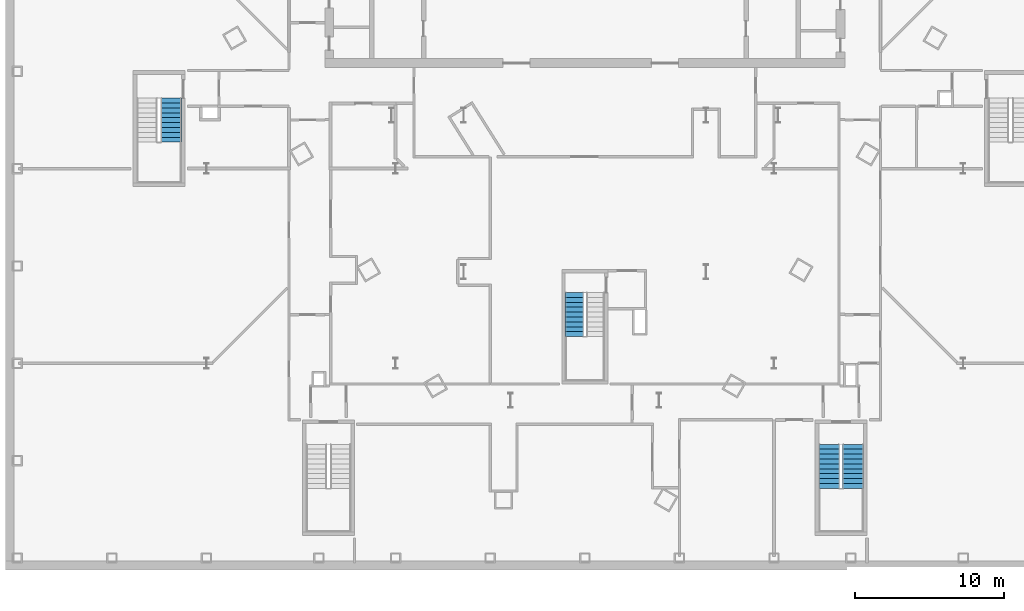
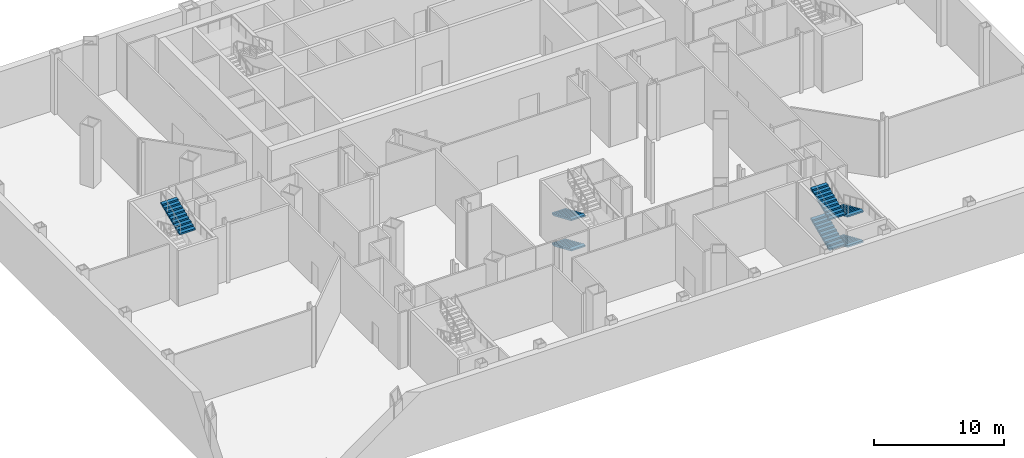
# One storey, part 13 of 18: 7 stair flights, 3 elements without a shape of their own.
"""IFC4 building model written with IfcOpenShell, lengths in metres."""

from ifc_helpers import new_model, si_unit, direction, frame, origin, place, context, subcontext, project, spatial, polygons, material, type_object, element, aggregate, save


model = new_model("IFC4")

# Units and contexts
model_context = context("Model", 3, precision=1e-05, world=origin(), true_north=direction((0.0, 1.0)))
body_context = subcontext(model_context, "Body", "Model", "MODEL_VIEW")
ifc_project = project(units=[si_unit("LENGTHUNIT", "METRE"), si_unit("AREAUNIT", "SQUARE_METRE"), si_unit("VOLUMEUNIT", "CUBIC_METRE"), si_unit("PLANEANGLEUNIT", "RADIAN"), si_unit("MASSUNIT", "GRAM", prefix="KILO")], contexts=[model_context])

# Site, building, storey
site_placement = place(None, origin())
site = spatial("IfcSite", under=ifc_project, at=site_placement, CompositionType="ELEMENT")
building_placement = place(site_placement, origin())
building = spatial("IfcBuilding", under=site, at=building_placement, Name="Njiva Tower", CompositionType="ELEMENT")
storey_placement = place(building_placement, frame((0.0, 0.0, -5.7)))
storey = spatial("IfcBuildingStorey", under=building, at=storey_placement, Name="B1", CompositionType="ELEMENT", Elevation=-5.7)

# Stair, stair flights
ifc_material = material(Name="Concrete C40/50", Category="concrete")
stair_type_1 = type_object("IfcStairType", Name="ST1 Exit stair 1250", PredefinedType="HALF_TURN_STAIR", material=ifc_material)
stair_1_placement = place(storey_placement, origin())
stair_1 = element("IfcStair", 1, at=stair_1_placement, inside=storey, type_object=stair_type_1, Name="Stair C basement", PredefinedType="DOUBLE_RETURN_STAIR")
stair_flight_type_1 = type_object("IfcStairFlightType", Name="FL1 Stair flight 1250", PredefinedType="STRAIGHT", material=ifc_material)
stair_flight_1_placement = place(storey_placement, frame((-0.7, -15.135, 0.0), z_axis=(0.0, 0.0, 1.0), x_axis=(0.0, -1.0, 0.0)))
stair_flight_1 = element("IfcStairFlight", 2, at=stair_flight_1_placement, type_object=stair_flight_type_1, Name="ST-CB flight 1", NumberOfRisers=10, NumberOfTreads=9, PredefinedType="STRAIGHT", RiserHeight=0.1425, TreadLength=0.33, context=body_context, shape_type="Tessellation", body=[
    polygons([(0.0, 0.625, 0.0), (0.0, 0.3125, 0.0), (0.0, 0.0, 0.0), (0.0, -0.3125, 0.0), (0.0, -0.625, 0.0), (0.0, 0.625, 0.1425), (0.0, 0.3125, 0.1425), (0.0, 0.0, 0.1425), (0.0, -0.3125, 0.1425), (0.0, -0.625, 0.1425), (0.33, 0.625, 0.1425), (0.33, 0.3125, 0.1425), (0.33, 0.0, 0.1425), (0.33, -0.3125, 0.1425), (0.33, -0.625, 0.1425), (0.33, 0.625, 0.285), (0.33, 0.3125, 0.285), (0.33, 0.0, 0.285), (0.33, -0.3125, 0.285), (0.33, -0.625, 0.285), (0.66, 0.625, 0.285), (0.66, 0.3125, 0.285), (0.66, 0.0, 0.285), (0.66, -0.3125, 0.285), (0.66, -0.625, 0.285), (0.66, 0.625, 0.4275), (0.66, 0.3125, 0.4275), (0.66, 0.0, 0.4275), (0.66, -0.3125, 0.4275), (0.66, -0.625, 0.4275), (0.99, 0.625, 0.4275), (0.99, 0.3125, 0.4275), (0.99, 0.0, 0.4275), (0.99, -0.3125, 0.4275), (0.99, -0.625, 0.4275), (0.99, 0.625, 0.57), (0.99, 0.3125, 0.57), (0.99, 0.0, 0.57), (0.99, -0.3125, 0.57), (0.99, -0.625, 0.57), (1.32, 0.625, 0.57), (1.32, 0.3125, 0.57), (1.32, 0.0, 0.57), (1.32, -0.3125, 0.57), (1.32, -0.625, 0.57), (1.32, 0.625, 0.7125), (1.32, 0.3125, 0.7125), (1.32, 0.0, 0.7125), (1.32, -0.3125, 0.7125), (1.32, -0.625, 0.7125), (1.65, 0.625, 0.7125), (1.65, 0.3125, 0.7125), (1.65, 0.0, 0.7125), (1.65, -0.3125, 0.7125), (1.65, -0.625, 0.7125), (1.65, 0.625, 0.855), (1.65, 0.3125, 0.855), (1.65, 0.0, 0.855), (1.65, -0.3125, 0.855), (1.65, -0.625, 0.855), (1.98, 0.625, 0.855), (1.98, 0.3125, 0.855), (1.98, 0.0, 0.855), (1.98, -0.3125, 0.855), (1.98, -0.625, 0.855), (1.98, 0.625, 0.9975), (1.98, 0.3125, 0.9975), (1.98, 0.0, 0.9975), (1.98, -0.3125, 0.9975), (1.98, -0.625, 0.9975), (2.31, 0.625, 0.9975), (2.31, 0.3125, 0.9975), (2.31, 0.0, 0.9975), (2.31, -0.3125, 0.9975), (2.31, -0.625, 0.9975), (2.31, 0.625, 1.14), (2.31, 0.3125, 1.14), (2.31, 0.0, 1.14), (2.31, -0.3125, 1.14), (2.31, -0.625, 1.14), (2.64, 0.625, 1.14), (2.64, 0.3125, 1.14), (2.64, 0.0, 1.14), (2.64, -0.3125, 1.14), (2.64, -0.625, 1.14), (2.64, 0.625, 1.2825), (2.64, 0.3125, 1.2825), (2.64, 0.0, 1.2825), (2.64, -0.3125, 1.2825), (2.64, -0.625, 1.2825), (2.97, 0.625, 1.2825), (2.97, 0.3125, 1.2825), (2.97, 0.0, 1.2825), (2.97, -0.3125, 1.2825), (2.97, -0.625, 1.2825), (2.97, 0.625, 1.1518), (2.97, 0.3125, 1.1518), (2.97, 0.0, 1.1518), (2.97, -0.3125, 1.1518), (2.97, -0.625, 1.1518), (0.3027, 0.625, 0.0), (0.3027, 0.3125, 0.0), (0.3027, 0.0, 0.0), (0.3027, -0.3125, 0.0), (0.3027, -0.625, 0.0)], [[[1, 6, 11, 16, 21, 26, 31, 36, 41, 46, 51, 56, 61, 66, 71, 76, 81, 86, 91, 96, 101]], [[105, 100, 95, 90, 85, 80, 75, 70, 65, 60, 55, 50, 45, 40, 35, 30, 25, 20, 15, 10, 5]], [[6, 1, 2, 7]], [[7, 2, 3, 8]], [[8, 3, 4, 9]], [[9, 4, 5, 10]], [[11, 6, 7, 12]], [[12, 7, 8, 13]], [[13, 8, 9, 14]], [[14, 9, 10, 15]], [[16, 11, 12, 17]], [[17, 12, 13, 18]], [[18, 13, 14, 19]], [[19, 14, 15, 20]], [[21, 16, 17, 22]], [[22, 17, 18, 23]], [[23, 18, 19, 24]], [[24, 19, 20, 25]], [[26, 21, 22, 27]], [[27, 22, 23, 28]], [[28, 23, 24, 29]], [[29, 24, 25, 30]], [[31, 26, 27, 32]], [[32, 27, 28, 33]], [[33, 28, 29, 34]], [[34, 29, 30, 35]], [[36, 31, 32, 37]], [[37, 32, 33, 38]], [[38, 33, 34, 39]], [[39, 34, 35, 40]], [[41, 36, 37, 42]], [[42, 37, 38, 43]], [[43, 38, 39, 44]], [[44, 39, 40, 45]], [[46, 41, 42, 47]], [[47, 42, 43, 48]], [[48, 43, 44, 49]], [[49, 44, 45, 50]], [[51, 46, 47, 52]], [[52, 47, 48, 53]], [[53, 48, 49, 54]], [[54, 49, 50, 55]], [[56, 51, 52, 57]], [[57, 52, 53, 58]], [[58, 53, 54, 59]], [[59, 54, 55, 60]], [[61, 56, 57, 62]], [[62, 57, 58, 63]], [[63, 58, 59, 64]], [[64, 59, 60, 65]], [[66, 61, 62, 67]], [[67, 62, 63, 68]], [[68, 63, 64, 69]], [[69, 64, 65, 70]], [[71, 66, 67, 72]], [[72, 67, 68, 73]], [[73, 68, 69, 74]], [[74, 69, 70, 75]], [[76, 71, 72, 77]], [[77, 72, 73, 78]], [[78, 73, 74, 79]], [[79, 74, 75, 80]], [[81, 76, 77, 82]], [[82, 77, 78, 83]], [[83, 78, 79, 84]], [[84, 79, 80, 85]], [[86, 81, 82, 87]], [[87, 82, 83, 88]], [[88, 83, 84, 89]], [[89, 84, 85, 90]], [[91, 86, 87, 92]], [[92, 87, 88, 93]], [[93, 88, 89, 94]], [[94, 89, 90, 95]], [[96, 91, 92, 97]], [[97, 92, 93, 98]], [[98, 93, 94, 99]], [[99, 94, 95, 100]], [[101, 96, 97, 102]], [[102, 97, 98, 103]], [[103, 98, 99, 104]], [[104, 99, 100, 105]], [[1, 101, 102, 2]], [[2, 102, 103, 3]], [[3, 103, 104, 4]], [[4, 104, 105, 5]]], closed=True),
])
stair_flight_2_placement = place(storey_placement, frame((-0.7, -15.135, 2.85), z_axis=(0.0, 0.0, 1.0), x_axis=(0.0, -1.0, 0.0)))
stair_flight_2 = element("IfcStairFlight", 3, at=stair_flight_2_placement, type_object=stair_flight_type_1, Name="ST-CB flight 3", NumberOfRisers=10, NumberOfTreads=9, PredefinedType="STRAIGHT", RiserHeight=0.1425, TreadLength=0.33, context=body_context, shape_type="Tessellation", body=[
    polygons([(0.0, 0.625, 0.0), (0.0, 0.3125, 0.0), (0.0, 0.0, 0.0), (0.0, -0.3125, 0.0), (0.0, -0.625, 0.0), (0.0, 0.625, 0.1425), (0.0, 0.3125, 0.1425), (0.0, 0.0, 0.1425), (0.0, -0.3125, 0.1425), (0.0, -0.625, 0.1425), (0.33, 0.625, 0.1425), (0.33, 0.3125, 0.1425), (0.33, 0.0, 0.1425), (0.33, -0.3125, 0.1425), (0.33, -0.625, 0.1425), (0.33, 0.625, 0.285), (0.33, 0.3125, 0.285), (0.33, 0.0, 0.285), (0.33, -0.3125, 0.285), (0.33, -0.625, 0.285), (0.66, 0.625, 0.285), (0.66, 0.3125, 0.285), (0.66, 0.0, 0.285), (0.66, -0.3125, 0.285), (0.66, -0.625, 0.285), (0.66, 0.625, 0.4275), (0.66, 0.3125, 0.4275), (0.66, 0.0, 0.4275), (0.66, -0.3125, 0.4275), (0.66, -0.625, 0.4275), (0.99, 0.625, 0.4275), (0.99, 0.3125, 0.4275), (0.99, 0.0, 0.4275), (0.99, -0.3125, 0.4275), (0.99, -0.625, 0.4275), (0.99, 0.625, 0.57), (0.99, 0.3125, 0.57), (0.99, 0.0, 0.57), (0.99, -0.3125, 0.57), (0.99, -0.625, 0.57), (1.32, 0.625, 0.57), (1.32, 0.3125, 0.57), (1.32, 0.0, 0.57), (1.32, -0.3125, 0.57), (1.32, -0.625, 0.57), (1.32, 0.625, 0.7125), (1.32, 0.3125, 0.7125), (1.32, 0.0, 0.7125), (1.32, -0.3125, 0.7125), (1.32, -0.625, 0.7125), (1.65, 0.625, 0.7125), (1.65, 0.3125, 0.7125), (1.65, 0.0, 0.7125), (1.65, -0.3125, 0.7125), (1.65, -0.625, 0.7125), (1.65, 0.625, 0.855), (1.65, 0.3125, 0.855), (1.65, 0.0, 0.855), (1.65, -0.3125, 0.855), (1.65, -0.625, 0.855), (1.98, 0.625, 0.855), (1.98, 0.3125, 0.855), (1.98, 0.0, 0.855), (1.98, -0.3125, 0.855), (1.98, -0.625, 0.855), (1.98, 0.625, 0.9975), (1.98, 0.3125, 0.9975), (1.98, 0.0, 0.9975), (1.98, -0.3125, 0.9975), (1.98, -0.625, 0.9975), (2.31, 0.625, 0.9975), (2.31, 0.3125, 0.9975), (2.31, 0.0, 0.9975), (2.31, -0.3125, 0.9975), (2.31, -0.625, 0.9975), (2.31, 0.625, 1.14), (2.31, 0.3125, 1.14), (2.31, 0.0, 1.14), (2.31, -0.3125, 1.14), (2.31, -0.625, 1.14), (2.64, 0.625, 1.14), (2.64, 0.3125, 1.14), (2.64, 0.0, 1.14), (2.64, -0.3125, 1.14), (2.64, -0.625, 1.14), (2.64, 0.625, 1.2825), (2.64, 0.3125, 1.2825), (2.64, 0.0, 1.2825), (2.64, -0.3125, 1.2825), (2.64, -0.625, 1.2825), (2.97, 0.625, 1.2825), (2.97, 0.3125, 1.2825), (2.97, 0.0, 1.2825), (2.97, -0.3125, 1.2825), (2.97, -0.625, 1.2825), (2.97, 0.625, 1.1518), (2.97, 0.3125, 1.1518), (2.97, 0.0, 1.1518), (2.97, -0.3125, 1.1518), (2.97, -0.625, 1.1518), (0.3027, 0.625, 0.0), (0.3027, 0.3125, 0.0), (0.3027, 0.0, 0.0), (0.3027, -0.3125, 0.0), (0.3027, -0.625, 0.0)], [[[1, 6, 11, 16, 21, 26, 31, 36, 41, 46, 51, 56, 61, 66, 71, 76, 81, 86, 91, 96, 101]], [[105, 100, 95, 90, 85, 80, 75, 70, 65, 60, 55, 50, 45, 40, 35, 30, 25, 20, 15, 10, 5]], [[6, 1, 2, 7]], [[7, 2, 3, 8]], [[8, 3, 4, 9]], [[9, 4, 5, 10]], [[11, 6, 7, 12]], [[12, 7, 8, 13]], [[13, 8, 9, 14]], [[14, 9, 10, 15]], [[16, 11, 12, 17]], [[17, 12, 13, 18]], [[18, 13, 14, 19]], [[19, 14, 15, 20]], [[21, 16, 17, 22]], [[22, 17, 18, 23]], [[23, 18, 19, 24]], [[24, 19, 20, 25]], [[26, 21, 22, 27]], [[27, 22, 23, 28]], [[28, 23, 24, 29]], [[29, 24, 25, 30]], [[31, 26, 27, 32]], [[32, 27, 28, 33]], [[33, 28, 29, 34]], [[34, 29, 30, 35]], [[36, 31, 32, 37]], [[37, 32, 33, 38]], [[38, 33, 34, 39]], [[39, 34, 35, 40]], [[41, 36, 37, 42]], [[42, 37, 38, 43]], [[43, 38, 39, 44]], [[44, 39, 40, 45]], [[46, 41, 42, 47]], [[47, 42, 43, 48]], [[48, 43, 44, 49]], [[49, 44, 45, 50]], [[51, 46, 47, 52]], [[52, 47, 48, 53]], [[53, 48, 49, 54]], [[54, 49, 50, 55]], [[56, 51, 52, 57]], [[57, 52, 53, 58]], [[58, 53, 54, 59]], [[59, 54, 55, 60]], [[61, 56, 57, 62]], [[62, 57, 58, 63]], [[63, 58, 59, 64]], [[64, 59, 60, 65]], [[66, 61, 62, 67]], [[67, 62, 63, 68]], [[68, 63, 64, 69]], [[69, 64, 65, 70]], [[71, 66, 67, 72]], [[72, 67, 68, 73]], [[73, 68, 69, 74]], [[74, 69, 70, 75]], [[76, 71, 72, 77]], [[77, 72, 73, 78]], [[78, 73, 74, 79]], [[79, 74, 75, 80]], [[81, 76, 77, 82]], [[82, 77, 78, 83]], [[83, 78, 79, 84]], [[84, 79, 80, 85]], [[86, 81, 82, 87]], [[87, 82, 83, 88]], [[88, 83, 84, 89]], [[89, 84, 85, 90]], [[91, 86, 87, 92]], [[92, 87, 88, 93]], [[93, 88, 89, 94]], [[94, 89, 90, 95]], [[96, 91, 92, 97]], [[97, 92, 93, 98]], [[98, 93, 94, 99]], [[99, 94, 95, 100]], [[101, 96, 97, 102]], [[102, 97, 98, 103]], [[103, 98, 99, 104]], [[104, 99, 100, 105]], [[1, 101, 102, 2]], [[2, 102, 103, 3]], [[3, 103, 104, 4]], [[4, 104, 105, 5]]], closed=True),
])
aggregate(stair_1, [stair_flight_1, stair_flight_2])

stair_type_2 = type_object("IfcStairType", Name="ST2 Exit stair 1400", PredefinedType="HALF_TURN_STAIR", material=ifc_material)
stair_2_placement = place(storey_placement, origin())
stair_2 = element("IfcStair", 4, at=stair_2_placement, inside=storey, type_object=stair_type_2, Name="Stair E basement", PredefinedType="DOUBLE_RETURN_STAIR")
stair_flight_type_2 = type_object("IfcStairFlightType", Name="FL2 Stair flight 1400", PredefinedType="STRAIGHT", material=ifc_material)
stair_flight_3_placement = place(storey_placement, frame((18.05, -25.35, 0.0), z_axis=(0.0, 0.0, 1.0), x_axis=(0.0, -1.0, 0.0)))
stair_flight_3 = element("IfcStairFlight", 5, at=stair_flight_3_placement, type_object=stair_flight_type_2, Name="ST-EB flight 1", NumberOfRisers=10, NumberOfTreads=9, PredefinedType="STRAIGHT", RiserHeight=0.1425, TreadLength=0.33, context=body_context, shape_type="Tessellation", body=[
    polygons([(0.0, 0.7, 0.0), (0.0, 0.35, 0.0), (0.0, 0.0, 0.0), (0.0, -0.35, 0.0), (0.0, -0.7, 0.0), (0.0, 0.7, 0.1425), (0.0, 0.35, 0.1425), (0.0, 0.0, 0.1425), (0.0, -0.35, 0.1425), (0.0, -0.7, 0.1425), (0.33, 0.7, 0.1425), (0.33, 0.35, 0.1425), (0.33, 0.0, 0.1425), (0.33, -0.35, 0.1425), (0.33, -0.7, 0.1425), (0.33, 0.7, 0.285), (0.33, 0.35, 0.285), (0.33, 0.0, 0.285), (0.33, -0.35, 0.285), (0.33, -0.7, 0.285), (0.66, 0.7, 0.285), (0.66, 0.35, 0.285), (0.66, 0.0, 0.285), (0.66, -0.35, 0.285), (0.66, -0.7, 0.285), (0.66, 0.7, 0.4275), (0.66, 0.35, 0.4275), (0.66, 0.0, 0.4275), (0.66, -0.35, 0.4275), (0.66, -0.7, 0.4275), (0.99, 0.7, 0.4275), (0.99, 0.35, 0.4275), (0.99, 0.0, 0.4275), (0.99, -0.35, 0.4275), (0.99, -0.7, 0.4275), (0.99, 0.7, 0.57), (0.99, 0.35, 0.57), (0.99, 0.0, 0.57), (0.99, -0.35, 0.57), (0.99, -0.7, 0.57), (1.32, 0.7, 0.57), (1.32, 0.35, 0.57), (1.32, 0.0, 0.57), (1.32, -0.35, 0.57), (1.32, -0.7, 0.57), (1.32, 0.7, 0.7125), (1.32, 0.35, 0.7125), (1.32, 0.0, 0.7125), (1.32, -0.35, 0.7125), (1.32, -0.7, 0.7125), (1.65, 0.7, 0.7125), (1.65, 0.35, 0.7125), (1.65, 0.0, 0.7125), (1.65, -0.35, 0.7125), (1.65, -0.7, 0.7125), (1.65, 0.7, 0.855), (1.65, 0.35, 0.855), (1.65, 0.0, 0.855), (1.65, -0.35, 0.855), (1.65, -0.7, 0.855), (1.98, 0.7, 0.855), (1.98, 0.35, 0.855), (1.98, 0.0, 0.855), (1.98, -0.35, 0.855), (1.98, -0.7, 0.855), (1.98, 0.7, 0.9975), (1.98, 0.35, 0.9975), (1.98, 0.0, 0.9975), (1.98, -0.35, 0.9975), (1.98, -0.7, 0.9975), (2.31, 0.7, 0.9975), (2.31, 0.35, 0.9975), (2.31, 0.0, 0.9975), (2.31, -0.35, 0.9975), (2.31, -0.7, 0.9975), (2.31, 0.7, 1.14), (2.31, 0.35, 1.14), (2.31, 0.0, 1.14), (2.31, -0.35, 1.14), (2.31, -0.7, 1.14), (2.64, 0.7, 1.14), (2.64, 0.35, 1.14), (2.64, 0.0, 1.14), (2.64, -0.35, 1.14), (2.64, -0.7, 1.14), (2.64, 0.7, 1.2825), (2.64, 0.35, 1.2825), (2.64, 0.0, 1.2825), (2.64, -0.35, 1.2825), (2.64, -0.7, 1.2825), (2.97, 0.7, 1.2825), (2.97, 0.35, 1.2825), (2.97, 0.0, 1.2825), (2.97, -0.35, 1.2825), (2.97, -0.7, 1.2825), (2.97, 0.7, 1.1518), (2.97, 0.35, 1.1518), (2.97, 0.0, 1.1518), (2.97, -0.35, 1.1518), (2.97, -0.7, 1.1518), (0.3027, 0.7, 0.0), (0.3027, 0.35, 0.0), (0.3027, 0.0, 0.0), (0.3027, -0.35, 0.0), (0.3027, -0.7, 0.0)], [[[1, 6, 11, 16, 21, 26, 31, 36, 41, 46, 51, 56, 61, 66, 71, 76, 81, 86, 91, 96, 101]], [[105, 100, 95, 90, 85, 80, 75, 70, 65, 60, 55, 50, 45, 40, 35, 30, 25, 20, 15, 10, 5]], [[6, 1, 2, 7]], [[7, 2, 3, 8]], [[8, 3, 4, 9]], [[9, 4, 5, 10]], [[11, 6, 7, 12]], [[12, 7, 8, 13]], [[13, 8, 9, 14]], [[14, 9, 10, 15]], [[16, 11, 12, 17]], [[17, 12, 13, 18]], [[18, 13, 14, 19]], [[19, 14, 15, 20]], [[21, 16, 17, 22]], [[22, 17, 18, 23]], [[23, 18, 19, 24]], [[24, 19, 20, 25]], [[26, 21, 22, 27]], [[27, 22, 23, 28]], [[28, 23, 24, 29]], [[29, 24, 25, 30]], [[31, 26, 27, 32]], [[32, 27, 28, 33]], [[33, 28, 29, 34]], [[34, 29, 30, 35]], [[36, 31, 32, 37]], [[37, 32, 33, 38]], [[38, 33, 34, 39]], [[39, 34, 35, 40]], [[41, 36, 37, 42]], [[42, 37, 38, 43]], [[43, 38, 39, 44]], [[44, 39, 40, 45]], [[46, 41, 42, 47]], [[47, 42, 43, 48]], [[48, 43, 44, 49]], [[49, 44, 45, 50]], [[51, 46, 47, 52]], [[52, 47, 48, 53]], [[53, 48, 49, 54]], [[54, 49, 50, 55]], [[56, 51, 52, 57]], [[57, 52, 53, 58]], [[58, 53, 54, 59]], [[59, 54, 55, 60]], [[61, 56, 57, 62]], [[62, 57, 58, 63]], [[63, 58, 59, 64]], [[64, 59, 60, 65]], [[66, 61, 62, 67]], [[67, 62, 63, 68]], [[68, 63, 64, 69]], [[69, 64, 65, 70]], [[71, 66, 67, 72]], [[72, 67, 68, 73]], [[73, 68, 69, 74]], [[74, 69, 70, 75]], [[76, 71, 72, 77]], [[77, 72, 73, 78]], [[78, 73, 74, 79]], [[79, 74, 75, 80]], [[81, 76, 77, 82]], [[82, 77, 78, 83]], [[83, 78, 79, 84]], [[84, 79, 80, 85]], [[86, 81, 82, 87]], [[87, 82, 83, 88]], [[88, 83, 84, 89]], [[89, 84, 85, 90]], [[91, 86, 87, 92]], [[92, 87, 88, 93]], [[93, 88, 89, 94]], [[94, 89, 90, 95]], [[96, 91, 92, 97]], [[97, 92, 93, 98]], [[98, 93, 94, 99]], [[99, 94, 95, 100]], [[101, 96, 97, 102]], [[102, 97, 98, 103]], [[103, 98, 99, 104]], [[104, 99, 100, 105]], [[1, 101, 102, 2]], [[2, 102, 103, 3]], [[3, 103, 104, 4]], [[4, 104, 105, 5]]], closed=True),
])
stair_flight_4_placement = place(storey_placement, frame((16.45, -28.32, 1.425), z_axis=(0.0, 0.0, 1.0), x_axis=(0.0, 1.0, 0.0)))
stair_flight_4 = element("IfcStairFlight", 6, at=stair_flight_4_placement, type_object=stair_flight_type_2, Name="ST-EB flight 2", NumberOfRisers=10, NumberOfTreads=9, PredefinedType="STRAIGHT", RiserHeight=0.1425, TreadLength=0.33, context=body_context, shape_type="Tessellation", body=[
    polygons([(0.0, 0.7, 0.0), (0.0, 0.35, 0.0), (0.0, 0.0, 0.0), (0.0, -0.35, 0.0), (0.0, -0.7, 0.0), (0.0, 0.7, 0.1425), (0.0, 0.35, 0.1425), (0.0, 0.0, 0.1425), (0.0, -0.35, 0.1425), (0.0, -0.7, 0.1425), (0.33, 0.7, 0.1425), (0.33, 0.35, 0.1425), (0.33, 0.0, 0.1425), (0.33, -0.35, 0.1425), (0.33, -0.7, 0.1425), (0.33, 0.7, 0.285), (0.33, 0.35, 0.285), (0.33, 0.0, 0.285), (0.33, -0.35, 0.285), (0.33, -0.7, 0.285), (0.66, 0.7, 0.285), (0.66, 0.35, 0.285), (0.66, 0.0, 0.285), (0.66, -0.35, 0.285), (0.66, -0.7, 0.285), (0.66, 0.7, 0.4275), (0.66, 0.35, 0.4275), (0.66, 0.0, 0.4275), (0.66, -0.35, 0.4275), (0.66, -0.7, 0.4275), (0.99, 0.7, 0.4275), (0.99, 0.35, 0.4275), (0.99, 0.0, 0.4275), (0.99, -0.35, 0.4275), (0.99, -0.7, 0.4275), (0.99, 0.7, 0.57), (0.99, 0.35, 0.57), (0.99, 0.0, 0.57), (0.99, -0.35, 0.57), (0.99, -0.7, 0.57), (1.32, 0.7, 0.57), (1.32, 0.35, 0.57), (1.32, 0.0, 0.57), (1.32, -0.35, 0.57), (1.32, -0.7, 0.57), (1.32, 0.7, 0.7125), (1.32, 0.35, 0.7125), (1.32, 0.0, 0.7125), (1.32, -0.35, 0.7125), (1.32, -0.7, 0.7125), (1.65, 0.7, 0.7125), (1.65, 0.35, 0.7125), (1.65, 0.0, 0.7125), (1.65, -0.35, 0.7125), (1.65, -0.7, 0.7125), (1.65, 0.7, 0.855), (1.65, 0.35, 0.855), (1.65, 0.0, 0.855), (1.65, -0.35, 0.855), (1.65, -0.7, 0.855), (1.98, 0.7, 0.855), (1.98, 0.35, 0.855), (1.98, 0.0, 0.855), (1.98, -0.35, 0.855), (1.98, -0.7, 0.855), (1.98, 0.7, 0.9975), (1.98, 0.35, 0.9975), (1.98, 0.0, 0.9975), (1.98, -0.35, 0.9975), (1.98, -0.7, 0.9975), (2.31, 0.7, 0.9975), (2.31, 0.35, 0.9975), (2.31, 0.0, 0.9975), (2.31, -0.35, 0.9975), (2.31, -0.7, 0.9975), (2.31, 0.7, 1.14), (2.31, 0.35, 1.14), (2.31, 0.0, 1.14), (2.31, -0.35, 1.14), (2.31, -0.7, 1.14), (2.64, 0.7, 1.14), (2.64, 0.35, 1.14), (2.64, 0.0, 1.14), (2.64, -0.35, 1.14), (2.64, -0.7, 1.14), (2.64, 0.7, 1.2825), (2.64, 0.35, 1.2825), (2.64, 0.0, 1.2825), (2.64, -0.35, 1.2825), (2.64, -0.7, 1.2825), (2.97, 0.7, 1.2825), (2.97, 0.35, 1.2825), (2.97, 0.0, 1.2825), (2.97, -0.35, 1.2825), (2.97, -0.7, 1.2825), (2.97, 0.7, 1.1518), (2.97, 0.35, 1.1518), (2.97, 0.0, 1.1518), (2.97, -0.35, 1.1518), (2.97, -0.7, 1.1518), (0.3027, 0.7, 0.0), (0.3027, 0.35, 0.0), (0.3027, 0.0, 0.0), (0.3027, -0.35, 0.0), (0.3027, -0.7, 0.0)], [[[1, 6, 11, 16, 21, 26, 31, 36, 41, 46, 51, 56, 61, 66, 71, 76, 81, 86, 91, 96, 101]], [[105, 100, 95, 90, 85, 80, 75, 70, 65, 60, 55, 50, 45, 40, 35, 30, 25, 20, 15, 10, 5]], [[6, 1, 2, 7]], [[7, 2, 3, 8]], [[8, 3, 4, 9]], [[9, 4, 5, 10]], [[11, 6, 7, 12]], [[12, 7, 8, 13]], [[13, 8, 9, 14]], [[14, 9, 10, 15]], [[16, 11, 12, 17]], [[17, 12, 13, 18]], [[18, 13, 14, 19]], [[19, 14, 15, 20]], [[21, 16, 17, 22]], [[22, 17, 18, 23]], [[23, 18, 19, 24]], [[24, 19, 20, 25]], [[26, 21, 22, 27]], [[27, 22, 23, 28]], [[28, 23, 24, 29]], [[29, 24, 25, 30]], [[31, 26, 27, 32]], [[32, 27, 28, 33]], [[33, 28, 29, 34]], [[34, 29, 30, 35]], [[36, 31, 32, 37]], [[37, 32, 33, 38]], [[38, 33, 34, 39]], [[39, 34, 35, 40]], [[41, 36, 37, 42]], [[42, 37, 38, 43]], [[43, 38, 39, 44]], [[44, 39, 40, 45]], [[46, 41, 42, 47]], [[47, 42, 43, 48]], [[48, 43, 44, 49]], [[49, 44, 45, 50]], [[51, 46, 47, 52]], [[52, 47, 48, 53]], [[53, 48, 49, 54]], [[54, 49, 50, 55]], [[56, 51, 52, 57]], [[57, 52, 53, 58]], [[58, 53, 54, 59]], [[59, 54, 55, 60]], [[61, 56, 57, 62]], [[62, 57, 58, 63]], [[63, 58, 59, 64]], [[64, 59, 60, 65]], [[66, 61, 62, 67]], [[67, 62, 63, 68]], [[68, 63, 64, 69]], [[69, 64, 65, 70]], [[71, 66, 67, 72]], [[72, 67, 68, 73]], [[73, 68, 69, 74]], [[74, 69, 70, 75]], [[76, 71, 72, 77]], [[77, 72, 73, 78]], [[78, 73, 74, 79]], [[79, 74, 75, 80]], [[81, 76, 77, 82]], [[82, 77, 78, 83]], [[83, 78, 79, 84]], [[84, 79, 80, 85]], [[86, 81, 82, 87]], [[87, 82, 83, 88]], [[88, 83, 84, 89]], [[89, 84, 85, 90]], [[91, 86, 87, 92]], [[92, 87, 88, 93]], [[93, 88, 89, 94]], [[94, 89, 90, 95]], [[96, 91, 92, 97]], [[97, 92, 93, 98]], [[98, 93, 94, 99]], [[99, 94, 95, 100]], [[101, 96, 97, 102]], [[102, 97, 98, 103]], [[103, 98, 99, 104]], [[104, 99, 100, 105]], [[1, 101, 102, 2]], [[2, 102, 103, 3]], [[3, 103, 104, 4]], [[4, 104, 105, 5]]], closed=True),
])
stair_flight_5_placement = place(storey_placement, frame((18.05, -25.35, 2.85), z_axis=(0.0, 0.0, 1.0), x_axis=(0.0, -1.0, 0.0)))
stair_flight_5 = element("IfcStairFlight", 7, at=stair_flight_5_placement, type_object=stair_flight_type_2, Name="ST-EB flight 3", NumberOfRisers=10, NumberOfTreads=9, PredefinedType="STRAIGHT", RiserHeight=0.1425, TreadLength=0.33, context=body_context, shape_type="Tessellation", body=[
    polygons([(0.0, 0.7, 0.0), (0.0, 0.35, 0.0), (0.0, 0.0, 0.0), (0.0, -0.35, 0.0), (0.0, -0.7, 0.0), (0.0, 0.7, 0.1425), (0.0, 0.35, 0.1425), (0.0, 0.0, 0.1425), (0.0, -0.35, 0.1425), (0.0, -0.7, 0.1425), (0.33, 0.7, 0.1425), (0.33, 0.35, 0.1425), (0.33, 0.0, 0.1425), (0.33, -0.35, 0.1425), (0.33, -0.7, 0.1425), (0.33, 0.7, 0.285), (0.33, 0.35, 0.285), (0.33, 0.0, 0.285), (0.33, -0.35, 0.285), (0.33, -0.7, 0.285), (0.66, 0.7, 0.285), (0.66, 0.35, 0.285), (0.66, 0.0, 0.285), (0.66, -0.35, 0.285), (0.66, -0.7, 0.285), (0.66, 0.7, 0.4275), (0.66, 0.35, 0.4275), (0.66, 0.0, 0.4275), (0.66, -0.35, 0.4275), (0.66, -0.7, 0.4275), (0.99, 0.7, 0.4275), (0.99, 0.35, 0.4275), (0.99, 0.0, 0.4275), (0.99, -0.35, 0.4275), (0.99, -0.7, 0.4275), (0.99, 0.7, 0.57), (0.99, 0.35, 0.57), (0.99, 0.0, 0.57), (0.99, -0.35, 0.57), (0.99, -0.7, 0.57), (1.32, 0.7, 0.57), (1.32, 0.35, 0.57), (1.32, 0.0, 0.57), (1.32, -0.35, 0.57), (1.32, -0.7, 0.57), (1.32, 0.7, 0.7125), (1.32, 0.35, 0.7125), (1.32, 0.0, 0.7125), (1.32, -0.35, 0.7125), (1.32, -0.7, 0.7125), (1.65, 0.7, 0.7125), (1.65, 0.35, 0.7125), (1.65, 0.0, 0.7125), (1.65, -0.35, 0.7125), (1.65, -0.7, 0.7125), (1.65, 0.7, 0.855), (1.65, 0.35, 0.855), (1.65, 0.0, 0.855), (1.65, -0.35, 0.855), (1.65, -0.7, 0.855), (1.98, 0.7, 0.855), (1.98, 0.35, 0.855), (1.98, 0.0, 0.855), (1.98, -0.35, 0.855), (1.98, -0.7, 0.855), (1.98, 0.7, 0.9975), (1.98, 0.35, 0.9975), (1.98, 0.0, 0.9975), (1.98, -0.35, 0.9975), (1.98, -0.7, 0.9975), (2.31, 0.7, 0.9975), (2.31, 0.35, 0.9975), (2.31, 0.0, 0.9975), (2.31, -0.35, 0.9975), (2.31, -0.7, 0.9975), (2.31, 0.7, 1.14), (2.31, 0.35, 1.14), (2.31, 0.0, 1.14), (2.31, -0.35, 1.14), (2.31, -0.7, 1.14), (2.64, 0.7, 1.14), (2.64, 0.35, 1.14), (2.64, 0.0, 1.14), (2.64, -0.35, 1.14), (2.64, -0.7, 1.14), (2.64, 0.7, 1.2825), (2.64, 0.35, 1.2825), (2.64, 0.0, 1.2825), (2.64, -0.35, 1.2825), (2.64, -0.7, 1.2825), (2.97, 0.7, 1.2825), (2.97, 0.35, 1.2825), (2.97, 0.0, 1.2825), (2.97, -0.35, 1.2825), (2.97, -0.7, 1.2825), (2.97, 0.7, 1.1518), (2.97, 0.35, 1.1518), (2.97, 0.0, 1.1518), (2.97, -0.35, 1.1518), (2.97, -0.7, 1.1518), (0.3027, 0.7, 0.0), (0.3027, 0.35, 0.0), (0.3027, 0.0, 0.0), (0.3027, -0.35, 0.0), (0.3027, -0.7, 0.0)], [[[1, 6, 11, 16, 21, 26, 31, 36, 41, 46, 51, 56, 61, 66, 71, 76, 81, 86, 91, 96, 101]], [[105, 100, 95, 90, 85, 80, 75, 70, 65, 60, 55, 50, 45, 40, 35, 30, 25, 20, 15, 10, 5]], [[6, 1, 2, 7]], [[7, 2, 3, 8]], [[8, 3, 4, 9]], [[9, 4, 5, 10]], [[11, 6, 7, 12]], [[12, 7, 8, 13]], [[13, 8, 9, 14]], [[14, 9, 10, 15]], [[16, 11, 12, 17]], [[17, 12, 13, 18]], [[18, 13, 14, 19]], [[19, 14, 15, 20]], [[21, 16, 17, 22]], [[22, 17, 18, 23]], [[23, 18, 19, 24]], [[24, 19, 20, 25]], [[26, 21, 22, 27]], [[27, 22, 23, 28]], [[28, 23, 24, 29]], [[29, 24, 25, 30]], [[31, 26, 27, 32]], [[32, 27, 28, 33]], [[33, 28, 29, 34]], [[34, 29, 30, 35]], [[36, 31, 32, 37]], [[37, 32, 33, 38]], [[38, 33, 34, 39]], [[39, 34, 35, 40]], [[41, 36, 37, 42]], [[42, 37, 38, 43]], [[43, 38, 39, 44]], [[44, 39, 40, 45]], [[46, 41, 42, 47]], [[47, 42, 43, 48]], [[48, 43, 44, 49]], [[49, 44, 45, 50]], [[51, 46, 47, 52]], [[52, 47, 48, 53]], [[53, 48, 49, 54]], [[54, 49, 50, 55]], [[56, 51, 52, 57]], [[57, 52, 53, 58]], [[58, 53, 54, 59]], [[59, 54, 55, 60]], [[61, 56, 57, 62]], [[62, 57, 58, 63]], [[63, 58, 59, 64]], [[64, 59, 60, 65]], [[66, 61, 62, 67]], [[67, 62, 63, 68]], [[68, 63, 64, 69]], [[69, 64, 65, 70]], [[71, 66, 67, 72]], [[72, 67, 68, 73]], [[73, 68, 69, 74]], [[74, 69, 70, 75]], [[76, 71, 72, 77]], [[77, 72, 73, 78]], [[78, 73, 74, 79]], [[79, 74, 75, 80]], [[81, 76, 77, 82]], [[82, 77, 78, 83]], [[83, 78, 79, 84]], [[84, 79, 80, 85]], [[86, 81, 82, 87]], [[87, 82, 83, 88]], [[88, 83, 84, 89]], [[89, 84, 85, 90]], [[91, 86, 87, 92]], [[92, 87, 88, 93]], [[93, 88, 89, 94]], [[94, 89, 90, 95]], [[96, 91, 92, 97]], [[97, 92, 93, 98]], [[98, 93, 94, 99]], [[99, 94, 95, 100]], [[101, 96, 97, 102]], [[102, 97, 98, 103]], [[103, 98, 99, 104]], [[104, 99, 100, 105]], [[1, 101, 102, 2]], [[2, 102, 103, 3]], [[3, 103, 104, 4]], [[4, 104, 105, 5]]], closed=True),
])
stair_flight_6_placement = place(storey_placement, frame((16.45, -28.32, 4.275), z_axis=(0.0, 0.0, 1.0), x_axis=(0.0, 1.0, 0.0)))
stair_flight_6 = element("IfcStairFlight", 8, at=stair_flight_6_placement, type_object=stair_flight_type_2, Name="ST-EB flight 4", NumberOfRisers=10, NumberOfTreads=9, PredefinedType="STRAIGHT", RiserHeight=0.1425, TreadLength=0.33, context=body_context, shape_type="Tessellation", body=[
    polygons([(0.0, 0.7, 0.0), (0.0, 0.35, 0.0), (0.0, 0.0, 0.0), (0.0, -0.35, 0.0), (0.0, -0.7, 0.0), (0.0, 0.7, 0.1425), (0.0, 0.35, 0.1425), (0.0, 0.0, 0.1425), (0.0, -0.35, 0.1425), (0.0, -0.7, 0.1425), (0.33, 0.7, 0.1425), (0.33, 0.35, 0.1425), (0.33, 0.0, 0.1425), (0.33, -0.35, 0.1425), (0.33, -0.7, 0.1425), (0.33, 0.7, 0.285), (0.33, 0.35, 0.285), (0.33, 0.0, 0.285), (0.33, -0.35, 0.285), (0.33, -0.7, 0.285), (0.66, 0.7, 0.285), (0.66, 0.35, 0.285), (0.66, 0.0, 0.285), (0.66, -0.35, 0.285), (0.66, -0.7, 0.285), (0.66, 0.7, 0.4275), (0.66, 0.35, 0.4275), (0.66, 0.0, 0.4275), (0.66, -0.35, 0.4275), (0.66, -0.7, 0.4275), (0.99, 0.7, 0.4275), (0.99, 0.35, 0.4275), (0.99, 0.0, 0.4275), (0.99, -0.35, 0.4275), (0.99, -0.7, 0.4275), (0.99, 0.7, 0.57), (0.99, 0.35, 0.57), (0.99, 0.0, 0.57), (0.99, -0.35, 0.57), (0.99, -0.7, 0.57), (1.32, 0.7, 0.57), (1.32, 0.35, 0.57), (1.32, 0.0, 0.57), (1.32, -0.35, 0.57), (1.32, -0.7, 0.57), (1.32, 0.7, 0.7125), (1.32, 0.35, 0.7125), (1.32, 0.0, 0.7125), (1.32, -0.35, 0.7125), (1.32, -0.7, 0.7125), (1.65, 0.7, 0.7125), (1.65, 0.35, 0.7125), (1.65, 0.0, 0.7125), (1.65, -0.35, 0.7125), (1.65, -0.7, 0.7125), (1.65, 0.7, 0.855), (1.65, 0.35, 0.855), (1.65, 0.0, 0.855), (1.65, -0.35, 0.855), (1.65, -0.7, 0.855), (1.98, 0.7, 0.855), (1.98, 0.35, 0.855), (1.98, 0.0, 0.855), (1.98, -0.35, 0.855), (1.98, -0.7, 0.855), (1.98, 0.7, 0.9975), (1.98, 0.35, 0.9975), (1.98, 0.0, 0.9975), (1.98, -0.35, 0.9975), (1.98, -0.7, 0.9975), (2.31, 0.7, 0.9975), (2.31, 0.35, 0.9975), (2.31, 0.0, 0.9975), (2.31, -0.35, 0.9975), (2.31, -0.7, 0.9975), (2.31, 0.7, 1.14), (2.31, 0.35, 1.14), (2.31, 0.0, 1.14), (2.31, -0.35, 1.14), (2.31, -0.7, 1.14), (2.64, 0.7, 1.14), (2.64, 0.35, 1.14), (2.64, 0.0, 1.14), (2.64, -0.35, 1.14), (2.64, -0.7, 1.14), (2.64, 0.7, 1.2825), (2.64, 0.35, 1.2825), (2.64, 0.0, 1.2825), (2.64, -0.35, 1.2825), (2.64, -0.7, 1.2825), (2.97, 0.7, 1.2825), (2.97, 0.35, 1.2825), (2.97, 0.0, 1.2825), (2.97, -0.35, 1.2825), (2.97, -0.7, 1.2825), (2.97, 0.7, 1.1518), (2.97, 0.35, 1.1518), (2.97, 0.0, 1.1518), (2.97, -0.35, 1.1518), (2.97, -0.7, 1.1518), (0.3027, 0.7, 0.0), (0.3027, 0.35, 0.0), (0.3027, 0.0, 0.0), (0.3027, -0.35, 0.0), (0.3027, -0.7, 0.0)], [[[1, 6, 11, 16, 21, 26, 31, 36, 41, 46, 51, 56, 61, 66, 71, 76, 81, 86, 91, 96, 101]], [[105, 100, 95, 90, 85, 80, 75, 70, 65, 60, 55, 50, 45, 40, 35, 30, 25, 20, 15, 10, 5]], [[6, 1, 2, 7]], [[7, 2, 3, 8]], [[8, 3, 4, 9]], [[9, 4, 5, 10]], [[11, 6, 7, 12]], [[12, 7, 8, 13]], [[13, 8, 9, 14]], [[14, 9, 10, 15]], [[16, 11, 12, 17]], [[17, 12, 13, 18]], [[18, 13, 14, 19]], [[19, 14, 15, 20]], [[21, 16, 17, 22]], [[22, 17, 18, 23]], [[23, 18, 19, 24]], [[24, 19, 20, 25]], [[26, 21, 22, 27]], [[27, 22, 23, 28]], [[28, 23, 24, 29]], [[29, 24, 25, 30]], [[31, 26, 27, 32]], [[32, 27, 28, 33]], [[33, 28, 29, 34]], [[34, 29, 30, 35]], [[36, 31, 32, 37]], [[37, 32, 33, 38]], [[38, 33, 34, 39]], [[39, 34, 35, 40]], [[41, 36, 37, 42]], [[42, 37, 38, 43]], [[43, 38, 39, 44]], [[44, 39, 40, 45]], [[46, 41, 42, 47]], [[47, 42, 43, 48]], [[48, 43, 44, 49]], [[49, 44, 45, 50]], [[51, 46, 47, 52]], [[52, 47, 48, 53]], [[53, 48, 49, 54]], [[54, 49, 50, 55]], [[56, 51, 52, 57]], [[57, 52, 53, 58]], [[58, 53, 54, 59]], [[59, 54, 55, 60]], [[61, 56, 57, 62]], [[62, 57, 58, 63]], [[63, 58, 59, 64]], [[64, 59, 60, 65]], [[66, 61, 62, 67]], [[67, 62, 63, 68]], [[68, 63, 64, 69]], [[69, 64, 65, 70]], [[71, 66, 67, 72]], [[72, 67, 68, 73]], [[73, 68, 69, 74]], [[74, 69, 70, 75]], [[76, 71, 72, 77]], [[77, 72, 73, 78]], [[78, 73, 74, 79]], [[79, 74, 75, 80]], [[81, 76, 77, 82]], [[82, 77, 78, 83]], [[83, 78, 79, 84]], [[84, 79, 80, 85]], [[86, 81, 82, 87]], [[87, 82, 83, 88]], [[88, 83, 84, 89]], [[89, 84, 85, 90]], [[91, 86, 87, 92]], [[92, 87, 88, 93]], [[93, 88, 89, 94]], [[94, 89, 90, 95]], [[96, 91, 92, 97]], [[97, 92, 93, 98]], [[98, 93, 94, 99]], [[99, 94, 95, 100]], [[101, 96, 97, 102]], [[102, 97, 98, 103]], [[103, 98, 99, 104]], [[104, 99, 100, 105]], [[1, 101, 102, 2]], [[2, 102, 103, 3]], [[3, 103, 104, 4]], [[4, 104, 105, 5]]], closed=True),
])
aggregate(stair_2, [stair_flight_3, stair_flight_4, stair_flight_5, stair_flight_6])

# Stair, stair flight
stair_3_placement = place(storey_placement, origin())
stair_3 = element("IfcStair", 9, at=stair_3_placement, inside=storey, type_object=stair_type_2, Name="Stair F basement", PredefinedType="DOUBLE_RETURN_STAIR")
stair_flight_7_placement = place(storey_placement, frame((-27.85, -5.02, 4.275), z_axis=(0.0, 0.0, 1.0), x_axis=(0.0, 1.0, 0.0)))
stair_flight_7 = element("IfcStairFlight", 10, at=stair_flight_7_placement, type_object=stair_flight_type_2, Name="ST-FB flight 4", NumberOfRisers=10, NumberOfTreads=9, PredefinedType="STRAIGHT", RiserHeight=0.1425, TreadLength=0.33, context=body_context, shape_type="Tessellation", body=[
    polygons([(0.0, 0.7, 0.0), (0.0, 0.35, 0.0), (0.0, 0.0, 0.0), (0.0, -0.35, 0.0), (0.0, -0.7, 0.0), (0.0, 0.7, 0.1425), (0.0, 0.35, 0.1425), (0.0, 0.0, 0.1425), (0.0, -0.35, 0.1425), (0.0, -0.7, 0.1425), (0.33, 0.7, 0.1425), (0.33, 0.35, 0.1425), (0.33, 0.0, 0.1425), (0.33, -0.35, 0.1425), (0.33, -0.7, 0.1425), (0.33, 0.7, 0.285), (0.33, 0.35, 0.285), (0.33, 0.0, 0.285), (0.33, -0.35, 0.285), (0.33, -0.7, 0.285), (0.66, 0.7, 0.285), (0.66, 0.35, 0.285), (0.66, 0.0, 0.285), (0.66, -0.35, 0.285), (0.66, -0.7, 0.285), (0.66, 0.7, 0.4275), (0.66, 0.35, 0.4275), (0.66, 0.0, 0.4275), (0.66, -0.35, 0.4275), (0.66, -0.7, 0.4275), (0.99, 0.7, 0.4275), (0.99, 0.35, 0.4275), (0.99, 0.0, 0.4275), (0.99, -0.35, 0.4275), (0.99, -0.7, 0.4275), (0.99, 0.7, 0.57), (0.99, 0.35, 0.57), (0.99, 0.0, 0.57), (0.99, -0.35, 0.57), (0.99, -0.7, 0.57), (1.32, 0.7, 0.57), (1.32, 0.35, 0.57), (1.32, 0.0, 0.57), (1.32, -0.35, 0.57), (1.32, -0.7, 0.57), (1.32, 0.7, 0.7125), (1.32, 0.35, 0.7125), (1.32, 0.0, 0.7125), (1.32, -0.35, 0.7125), (1.32, -0.7, 0.7125), (1.65, 0.7, 0.7125), (1.65, 0.35, 0.7125), (1.65, 0.0, 0.7125), (1.65, -0.35, 0.7125), (1.65, -0.7, 0.7125), (1.65, 0.7, 0.855), (1.65, 0.35, 0.855), (1.65, 0.0, 0.855), (1.65, -0.35, 0.855), (1.65, -0.7, 0.855), (1.98, 0.7, 0.855), (1.98, 0.35, 0.855), (1.98, 0.0, 0.855), (1.98, -0.35, 0.855), (1.98, -0.7, 0.855), (1.98, 0.7, 0.9975), (1.98, 0.35, 0.9975), (1.98, 0.0, 0.9975), (1.98, -0.35, 0.9975), (1.98, -0.7, 0.9975), (2.31, 0.7, 0.9975), (2.31, 0.35, 0.9975), (2.31, 0.0, 0.9975), (2.31, -0.35, 0.9975), (2.31, -0.7, 0.9975), (2.31, 0.7, 1.14), (2.31, 0.35, 1.14), (2.31, 0.0, 1.14), (2.31, -0.35, 1.14), (2.31, -0.7, 1.14), (2.64, 0.7, 1.14), (2.64, 0.35, 1.14), (2.64, 0.0, 1.14), (2.64, -0.35, 1.14), (2.64, -0.7, 1.14), (2.64, 0.7, 1.2825), (2.64, 0.35, 1.2825), (2.64, 0.0, 1.2825), (2.64, -0.35, 1.2825), (2.64, -0.7, 1.2825), (2.97, 0.7, 1.2825), (2.97, 0.35, 1.2825), (2.97, 0.0, 1.2825), (2.97, -0.35, 1.2825), (2.97, -0.7, 1.2825), (2.97, 0.7, 1.1518), (2.97, 0.35, 1.1518), (2.97, 0.0, 1.1518), (2.97, -0.35, 1.1518), (2.97, -0.7, 1.1518), (0.3027, 0.7, 0.0), (0.3027, 0.35, 0.0), (0.3027, 0.0, 0.0), (0.3027, -0.35, 0.0), (0.3027, -0.7, 0.0)], [[[1, 6, 11, 16, 21, 26, 31, 36, 41, 46, 51, 56, 61, 66, 71, 76, 81, 86, 91, 96, 101]], [[105, 100, 95, 90, 85, 80, 75, 70, 65, 60, 55, 50, 45, 40, 35, 30, 25, 20, 15, 10, 5]], [[6, 1, 2, 7]], [[7, 2, 3, 8]], [[8, 3, 4, 9]], [[9, 4, 5, 10]], [[11, 6, 7, 12]], [[12, 7, 8, 13]], [[13, 8, 9, 14]], [[14, 9, 10, 15]], [[16, 11, 12, 17]], [[17, 12, 13, 18]], [[18, 13, 14, 19]], [[19, 14, 15, 20]], [[21, 16, 17, 22]], [[22, 17, 18, 23]], [[23, 18, 19, 24]], [[24, 19, 20, 25]], [[26, 21, 22, 27]], [[27, 22, 23, 28]], [[28, 23, 24, 29]], [[29, 24, 25, 30]], [[31, 26, 27, 32]], [[32, 27, 28, 33]], [[33, 28, 29, 34]], [[34, 29, 30, 35]], [[36, 31, 32, 37]], [[37, 32, 33, 38]], [[38, 33, 34, 39]], [[39, 34, 35, 40]], [[41, 36, 37, 42]], [[42, 37, 38, 43]], [[43, 38, 39, 44]], [[44, 39, 40, 45]], [[46, 41, 42, 47]], [[47, 42, 43, 48]], [[48, 43, 44, 49]], [[49, 44, 45, 50]], [[51, 46, 47, 52]], [[52, 47, 48, 53]], [[53, 48, 49, 54]], [[54, 49, 50, 55]], [[56, 51, 52, 57]], [[57, 52, 53, 58]], [[58, 53, 54, 59]], [[59, 54, 55, 60]], [[61, 56, 57, 62]], [[62, 57, 58, 63]], [[63, 58, 59, 64]], [[64, 59, 60, 65]], [[66, 61, 62, 67]], [[67, 62, 63, 68]], [[68, 63, 64, 69]], [[69, 64, 65, 70]], [[71, 66, 67, 72]], [[72, 67, 68, 73]], [[73, 68, 69, 74]], [[74, 69, 70, 75]], [[76, 71, 72, 77]], [[77, 72, 73, 78]], [[78, 73, 74, 79]], [[79, 74, 75, 80]], [[81, 76, 77, 82]], [[82, 77, 78, 83]], [[83, 78, 79, 84]], [[84, 79, 80, 85]], [[86, 81, 82, 87]], [[87, 82, 83, 88]], [[88, 83, 84, 89]], [[89, 84, 85, 90]], [[91, 86, 87, 92]], [[92, 87, 88, 93]], [[93, 88, 89, 94]], [[94, 89, 90, 95]], [[96, 91, 92, 97]], [[97, 92, 93, 98]], [[98, 93, 94, 99]], [[99, 94, 95, 100]], [[101, 96, 97, 102]], [[102, 97, 98, 103]], [[103, 98, 99, 104]], [[104, 99, 100, 105]], [[1, 101, 102, 2]], [[2, 102, 103, 3]], [[3, 103, 104, 4]], [[4, 104, 105, 5]]], closed=True),
])
aggregate(stair_3, [stair_flight_7])

save(model, "model.ifc")
